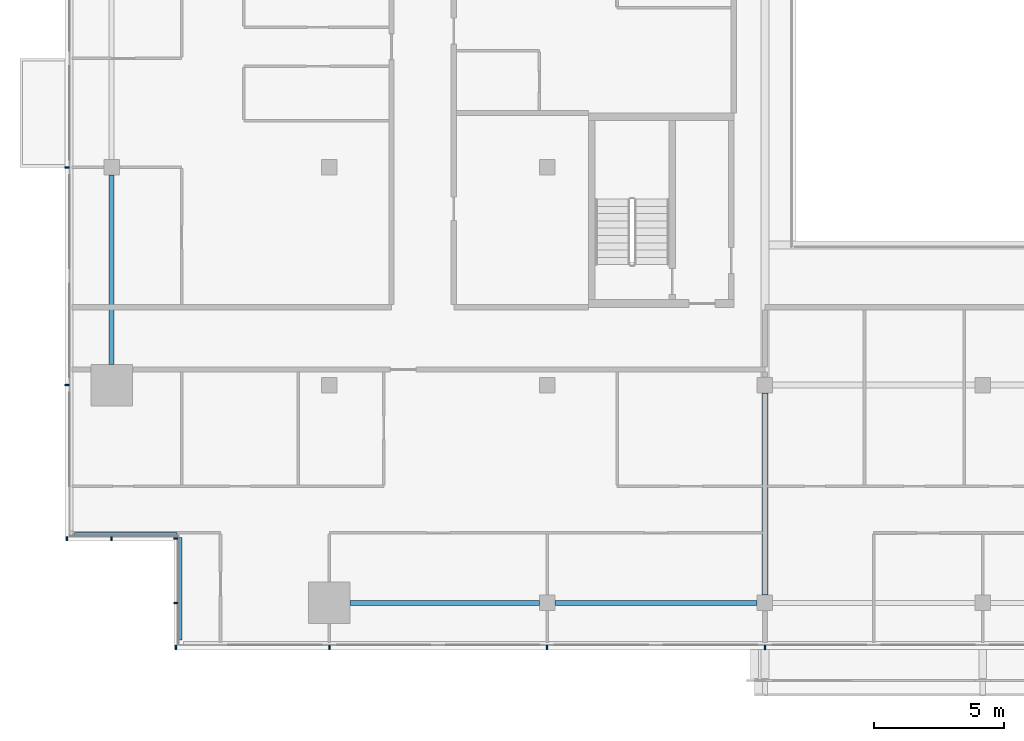
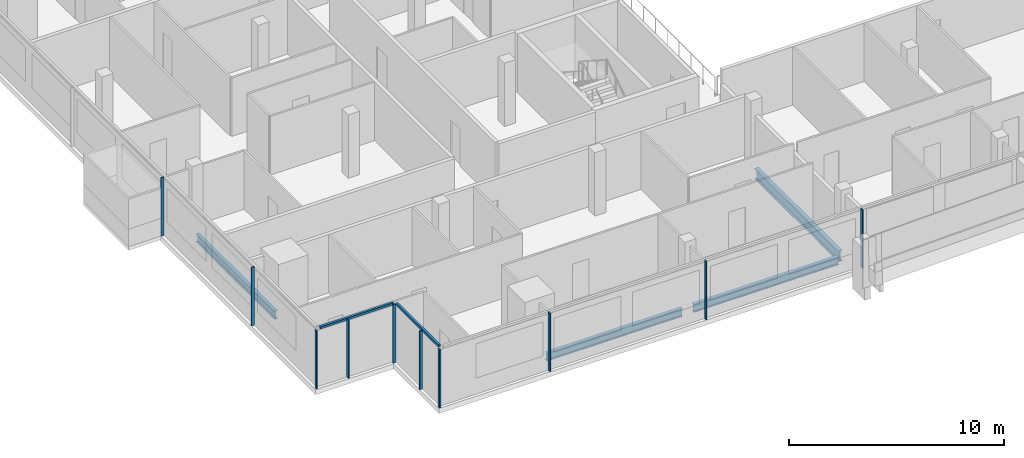
# One storey, part 2 of 26: 12 members, 4 beams, 4 elements without a shape of their own.
"""IFC4 building model written with IfcOpenShell, lengths in metres."""

from ifc_helpers import new_model, si_unit, direction, frame, origin, origin_2d, place, context, subcontext, project, spatial, rectangle, i_section, extrude, material, material_profile, profile_set, type_object, element, aggregate, save


model = new_model("IFC4")

# Units and contexts
model_context = context("Model", 3, precision=1e-05, world=origin(), true_north=direction((0.0, 1.0)))
body_context = subcontext(model_context, "Body", "Model", "MODEL_VIEW")
ifc_project = project(units=[si_unit("LENGTHUNIT", "METRE"), si_unit("AREAUNIT", "SQUARE_METRE"), si_unit("VOLUMEUNIT", "CUBIC_METRE"), si_unit("PLANEANGLEUNIT", "RADIAN"), si_unit("MASSUNIT", "GRAM", prefix="KILO")], contexts=[model_context])

# Site, building, storey
site_placement = place(None, origin())
site = spatial("IfcSite", under=ifc_project, at=site_placement, CompositionType="ELEMENT")
building_placement = place(site_placement, origin())
building = spatial("IfcBuilding", under=site, at=building_placement, Name="Saffron Gate Tower", CompositionType="ELEMENT")
storey_placement = place(building_placement, frame((0.0, 0.0, 230.699951171875)))
storey = spatial("IfcBuildingStorey", under=building, at=storey_placement, Name="L56", CompositionType="ELEMENT", Elevation=230.699951171875)

# Beams
ifc_material_1 = material(Name="Structural steel S355", Category="steel")
ifc_material_profile_1 = material_profile(ifc_material_1, i_section(OverallWidth=0.219970703125, OverallDepth=0.60009765625, WebThickness=0.011962890625, FlangeThickness=0.01904296875, FilletRadius=0.02392578125, at=origin_2d()))
ifc_profile_set_1 = profile_set([ifc_material_profile_1], Name="Structural steel S355")
beam_type_1 = type_object("IfcBeamType", Name="B15 IPE 600", PredefinedType="BEAM", material=ifc_profile_set_1)
beam_1_placement = place(storey_placement, frame((75.0, 32.10009765625, -0.579833984375), z_axis=(0.0, 1.0, 0.0), x_axis=(-1.0, 0.0, 0.0)))
element("IfcBeam", 1, at=beam_1_placement, inside=storey, type_object=beam_type_1, Name="B15 FLOOR GIRDER", PredefinedType="BEAM", context=body_context, shape_type="SweptSolid", body=[
    extrude(i_section(OverallWidth=0.219970703125, OverallDepth=0.60009765625, WebThickness=0.011962890625, FlangeThickness=0.01904296875, FilletRadius=0.02392578125, at=origin_2d()), origin(), (0.0, 0.0, 1.0), 7.7998046875),
])
ifc_material_profile_2 = material_profile(ifc_material_1, i_section(OverallWidth=0.18994140625, OverallDepth=0.449951171875, WebThickness=0.009521484375, FlangeThickness=0.0146484375, FilletRadius=0.02099609375, at=origin_2d()))
ifc_profile_set_2 = profile_set([ifc_material_profile_2], Name="Structural steel S355")
beam_type_2 = type_object("IfcBeamType", Name="B7 IPE 450", PredefinedType="SPANDREL", material=ifc_profile_set_2)
for number, where, z_axis, x_axis, name in (
    (2, (49.800048828125, 41.0, -0.5048828125), (0.0, 1.0, 0.0), (-1.0, 0.0, 0.0), "B7 SPANDREL BEAM"),
    (3, (59.0, 31.800048828125, -0.5048828125), (1.0, 0.0, 0.0), (0.0, 1.0, 0.0), "B7 SPANDREL BEAM"),
):
    element("IfcBeam", number, at=place(storey_placement, frame(where, z_axis=z_axis, x_axis=x_axis)), inside=storey, type_object=beam_type_2, Name=name, PredefinedType="SPANDREL", context=body_context, shape_type="SweptSolid", body=[
        extrude(i_section(OverallWidth=0.18994140625, OverallDepth=0.449951171875, WebThickness=0.009521484375, FlangeThickness=0.0146484375, FilletRadius=0.02099609375, at=origin_2d()), origin(), (0.0, 0.0, 1.0), 7.300048828125),
    ])
beam_2_placement = place(storey_placement, frame((66.89990234375, 31.800048828125, -0.5048828125), z_axis=(1.0, 0.0, 0.0), x_axis=(0.0, 1.0, 0.0)))
element("IfcBeam", 4, at=beam_2_placement, inside=storey, type_object=beam_type_2, Name="B7 SPANDREL BEAM", PredefinedType="SPANDREL", context=body_context, shape_type="SweptSolid", body=[
    extrude(i_section(OverallWidth=0.18994140625, OverallDepth=0.449951171875, WebThickness=0.009521484375, FlangeThickness=0.0146484375, FilletRadius=0.02099609375, at=origin_2d()), origin(), (0.0, 0.0, 1.0), 7.800048828125),
])

# Curtain wall, members
ifc_material_2 = material(Name="Aluminium, bronze anodised", Category="aluminium")
curtain_wall_type_1 = type_object("IfcCurtainWallType", Name="CWS1 curtain wall front facade", PredefinedType="NOTDEFINED", material=ifc_material_2)
curtain_wall_1_placement = place(storey_placement, origin())
curtain_wall_1 = element("IfcCurtainWall", 5, at=curtain_wall_1_placement, inside=storey, type_object=curtain_wall_type_1, Name="CWS1 run 1", PredefinedType="NOTDEFINED")
ifc_material_profile_3 = material_profile(ifc_material_2, rectangle(XDim=0.159912109375, YDim=0.06005859375, at=origin_2d()))
ifc_profile_set_3 = profile_set([ifc_material_profile_3], Name="Aluminium, bronze anodised")
member_type_1 = type_object("IfcMemberType", Name="CWS1 mullion 60x160", PredefinedType="MULLION", material=ifc_profile_set_3)
member_1_placement = place(storey_placement, frame((52.280029296875, 30.080078125, 0.0), z_axis=(0.0, 0.0, 1.0), x_axis=(0.0, 1.0, 0.0)))
member_1 = element("IfcMember", 6, at=member_1_placement, type_object=member_type_1, Name="CWS1 mullion 1", PredefinedType="MULLION", context=body_context, shape_type="SweptSolid", body=[
    extrude(rectangle(XDim=0.159912109375, YDim=0.06005859375, at=origin_2d()), origin(), (0.0, 0.0, 1.0), 3.320068359375),
])
member_2_placement = place(storey_placement, frame((58.199951171875, 30.080078125, 0.0), z_axis=(0.0, 0.0, 1.0), x_axis=(0.0, 1.0, 0.0)))
member_2 = element("IfcMember", 7, at=member_2_placement, type_object=member_type_1, Name="CWS1 mullion 2", PredefinedType="MULLION", context=body_context, shape_type="SweptSolid", body=[
    extrude(rectangle(XDim=0.159912109375, YDim=0.06005859375, at=origin_2d()), origin(), (0.0, 0.0, 1.0), 3.320068359375),
])
member_3_placement = place(storey_placement, frame((66.60009765625, 30.080078125, 0.0), z_axis=(0.0, 0.0, 1.0), x_axis=(0.0, 1.0, 0.0)))
member_3 = element("IfcMember", 8, at=member_3_placement, type_object=member_type_1, Name="CWS1 mullion 3", PredefinedType="MULLION", context=body_context, shape_type="SweptSolid", body=[
    extrude(rectangle(XDim=0.159912109375, YDim=0.06005859375, at=origin_2d()), origin(), (0.0, 0.0, 1.0), 3.320068359375),
])
member_4_placement = place(storey_placement, frame((75.0, 30.080078125, 0.0), z_axis=(0.0, 0.0, 1.0), x_axis=(0.0, 1.0, 0.0)))
member_4 = element("IfcMember", 9, at=member_4_placement, type_object=member_type_1, Name="CWS1 mullion 4", PredefinedType="MULLION", context=body_context, shape_type="SweptSolid", body=[
    extrude(rectangle(XDim=0.159912109375, YDim=0.06005859375, at=origin_2d()), origin(), (0.0, 0.0, 1.0), 3.320068359375),
])
aggregate(curtain_wall_1, [member_1, member_2, member_3, member_4])

curtain_wall_type_2 = type_object("IfcCurtainWallType", Name="CWS2 curtain wall side facades", PredefinedType="NOTDEFINED", material=ifc_material_2)
curtain_wall_2_placement = place(storey_placement, origin())
curtain_wall_2 = element("IfcCurtainWall", 10, at=curtain_wall_2_placement, inside=storey, type_object=curtain_wall_type_2, Name="CWS2 run 10", PredefinedType="NOTDEFINED")
ifc_material_profile_4 = material_profile(ifc_material_2, rectangle(XDim=0.159912109375, YDim=0.06005859375, at=origin_2d()))
ifc_profile_set_4 = profile_set([ifc_material_profile_4], Name="Aluminium, bronze anodised")
member_type_2 = type_object("IfcMemberType", Name="CWS2 mullion 60x160", PredefinedType="MULLION", material=ifc_profile_set_4)
member_5_placement = place(storey_placement, frame((48.080078125, 48.60009765625, 0.0), z_axis=(0.0, 0.0, 1.0), x_axis=(1.0, 0.0, 0.0)))
member_5 = element("IfcMember", 11, at=member_5_placement, type_object=member_type_2, Name="CWS2 mullion 4", PredefinedType="MULLION", context=body_context, shape_type="SweptSolid", body=[
    extrude(rectangle(XDim=0.159912109375, YDim=0.06005859375, at=origin_2d()), origin(), (0.0, 0.0, 1.0), 3.320068359375),
])
member_6_placement = place(storey_placement, frame((48.080078125, 40.199951171875, 0.0), z_axis=(0.0, 0.0, 1.0), x_axis=(1.0, 0.0, 0.0)))
member_6 = element("IfcMember", 12, at=member_6_placement, type_object=member_type_2, Name="CWS2 mullion 5", PredefinedType="MULLION", context=body_context, shape_type="SweptSolid", body=[
    extrude(rectangle(XDim=0.159912109375, YDim=0.06005859375, at=origin_2d()), origin(), (0.0, 0.0, 1.0), 3.320068359375),
])
aggregate(curtain_wall_2, [member_5, member_6])

# Curtain wall, member
curtain_wall_type_3 = type_object("IfcCurtainWallType", Name="CWS4 curtain wall corner returns", PredefinedType="NOTDEFINED", material=ifc_material_2)
curtain_wall_3_placement = place(storey_placement, origin())
curtain_wall_3 = element("IfcCurtainWall", 13, at=curtain_wall_3_placement, inside=storey, type_object=curtain_wall_type_3, Name="CWS4 run 11", PredefinedType="NOTDEFINED")
ifc_material_profile_5 = material_profile(ifc_material_2, rectangle(XDim=0.1201171875, YDim=0.1201171875, at=origin_2d()))
ifc_profile_set_5 = profile_set([ifc_material_profile_5], Name="Aluminium, bronze anodised")
member_type_3 = type_object("IfcMemberType", Name="CWS4 head transom", PredefinedType="USERDEFINED", material=ifc_profile_set_5)
member_7_placement = place(storey_placement, frame((48.367919921875, 34.447998046875, 3.260009765625), z_axis=(1.0, 0.0, 0.0), x_axis=(0.0, 1.0, 0.0)))
member_7 = element("IfcMember", 14, at=member_7_placement, type_object=member_type_3, Name="CWS4 head transom", ObjectType="TRANSOM", PredefinedType="USERDEFINED", context=body_context, shape_type="SweptSolid", body=[
    extrude(rectangle(XDim=0.1201171875, YDim=0.1201171875, at=origin_2d()), origin(), (0.0, 0.0, 1.0), 3.9599609375),
])

curtain_wall_4_placement = place(storey_placement, origin())
curtain_wall_4 = element("IfcCurtainWall", 15, at=curtain_wall_4_placement, inside=storey, type_object=curtain_wall_type_3, Name="CWS4 run 12", PredefinedType="NOTDEFINED")
member_8_placement = place(storey_placement, frame((52.447998046875, 34.327880859375, 3.260009765625), z_axis=(0.0, -1.0, 0.0), x_axis=(1.0, 0.0, 0.0)))
member_8 = element("IfcMember", 16, at=member_8_placement, type_object=member_type_3, Name="CWS4 head transom", ObjectType="TRANSOM", PredefinedType="USERDEFINED", context=body_context, shape_type="SweptSolid", body=[
    extrude(rectangle(XDim=0.1201171875, YDim=0.1201171875, at=origin_2d()), origin(), (0.0, 0.0, 1.0), 3.9599609375),
])

# Member
ifc_material_profile_6 = material_profile(ifc_material_2, rectangle(XDim=0.159912109375, YDim=0.06005859375, at=origin_2d()))
ifc_profile_set_6 = profile_set([ifc_material_profile_6], Name="Aluminium, bronze anodised")
member_type_4 = type_object("IfcMemberType", Name="CWS4 mullion 60x160", PredefinedType="MULLION", material=ifc_profile_set_6)
member_9_placement = place(storey_placement, frame((48.080078125, 34.280029296875, 0.0), z_axis=(0.0, 0.0, 1.0), x_axis=(0.0, 1.0, 0.0)))
member_9 = element("IfcMember", 17, at=member_9_placement, type_object=member_type_4, Name="CWS4 mullion 1", PredefinedType="MULLION", context=body_context, shape_type="SweptSolid", body=[
    extrude(rectangle(XDim=0.159912109375, YDim=0.06005859375, at=origin_2d()), origin(), (0.0, 0.0, 1.0), 3.320068359375),
])

member_10_placement = place(storey_placement, frame((49.800048828125, 34.280029296875, 0.0), z_axis=(0.0, 0.0, 1.0), x_axis=(0.0, 1.0, 0.0)))
member_10 = element("IfcMember", 18, at=member_10_placement, type_object=member_type_4, Name="CWS4 mullion 2", PredefinedType="MULLION", context=body_context, shape_type="SweptSolid", body=[
    extrude(rectangle(XDim=0.159912109375, YDim=0.06005859375, at=origin_2d()), origin(), (0.0, 0.0, 1.0), 3.320068359375),
])

aggregate(curtain_wall_3, [member_9, member_10, member_7])

member_11_placement = place(storey_placement, frame((52.280029296875, 34.280029296875, 0.0), z_axis=(0.0, 0.0, 1.0), x_axis=(1.0, 0.0, 0.0)))
member_11 = element("IfcMember", 19, at=member_11_placement, type_object=member_type_4, Name="CWS4 mullion 1", PredefinedType="MULLION", context=body_context, shape_type="SweptSolid", body=[
    extrude(rectangle(XDim=0.159912109375, YDim=0.06005859375, at=origin_2d()), origin(), (0.0, 0.0, 1.0), 3.320068359375),
])

member_12_placement = place(storey_placement, frame((52.280029296875, 31.800048828125, 0.0), z_axis=(0.0, 0.0, 1.0), x_axis=(1.0, 0.0, 0.0)))
member_12 = element("IfcMember", 20, at=member_12_placement, type_object=member_type_4, Name="CWS4 mullion 2", PredefinedType="MULLION", context=body_context, shape_type="SweptSolid", body=[
    extrude(rectangle(XDim=0.159912109375, YDim=0.06005859375, at=origin_2d()), origin(), (0.0, 0.0, 1.0), 3.320068359375),
])

aggregate(curtain_wall_4, [member_11, member_12, member_8])

save(model, "model.ifc")
